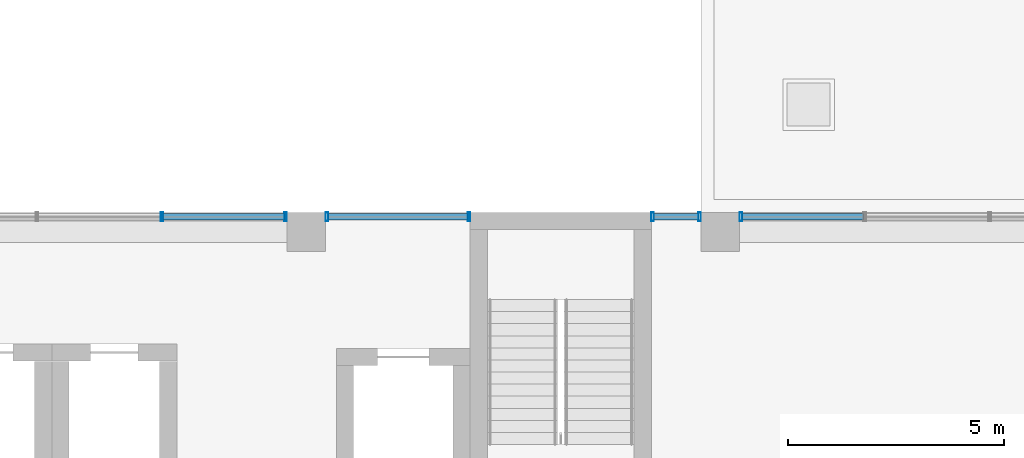
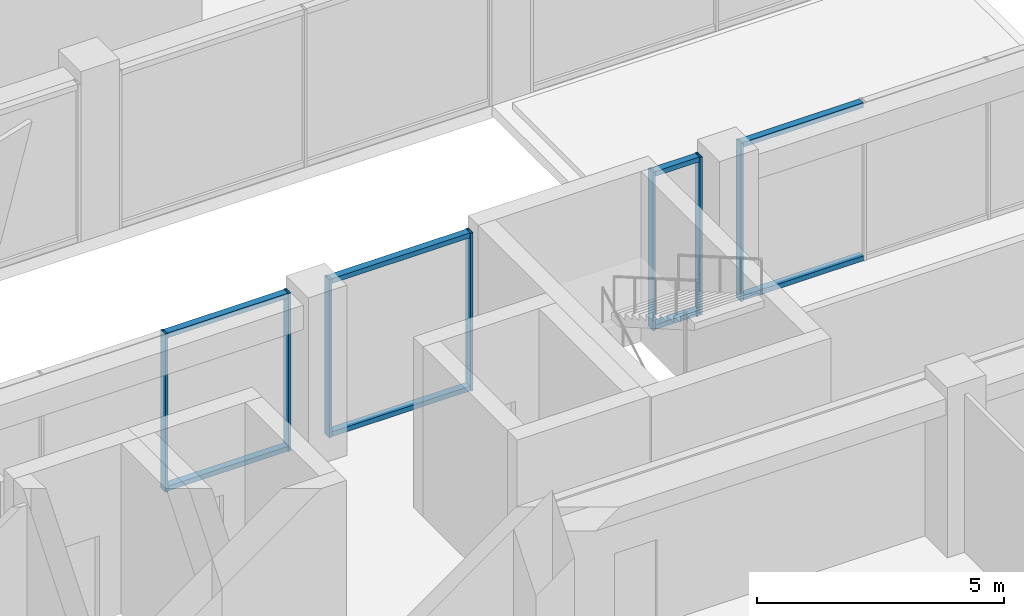
# One storey, part 9 of 38: 15 members, 4 elements without a shape of their own.
"""IFC4 building model written with IfcOpenShell, lengths in metres."""

from ifc_helpers import new_model, si_unit, direction, frame, origin, origin_2d, place, context, subcontext, project, spatial, hollow_rectangle, extrude, material, layer, layer_set, material_profile, profile_set, type_object, element, aggregate, save


model = new_model("IFC4")

# Units and contexts
model_context = context("Model", 3, precision=1e-05, world=origin(), true_north=direction((0.0, 1.0)))
body_context = subcontext(model_context, "Body", "Model", "MODEL_VIEW")
ifc_project = project(units=[si_unit("LENGTHUNIT", "METRE"), si_unit("AREAUNIT", "SQUARE_METRE"), si_unit("VOLUMEUNIT", "CUBIC_METRE"), si_unit("PLANEANGLEUNIT", "RADIAN"), si_unit("MASSUNIT", "GRAM", prefix="KILO")], contexts=[model_context])

# Site, building, storey
site_placement = place(None, origin())
site = spatial("IfcSite", under=ifc_project, at=site_placement, CompositionType="ELEMENT")
building_placement = place(site_placement, origin())
building = spatial("IfcBuilding", under=site, at=building_placement, Name="Nzadi Deep Aquarium and Research Tower", CompositionType="ELEMENT")
storey_placement = place(building_placement, frame((0.0, 0.0, 52.89990234375)))
storey = spatial("IfcBuildingStorey", under=building, at=storey_placement, Name="L10", CompositionType="ELEMENT", Elevation=52.89990234375)

# Curtain wall, members
ifc_material_1 = material(Name="Aluminium unitised frame", Category="aluminium")
ifc_layer = layer(ifc_material_1, 0.199951171875)
ifc_layer_set = layer_set([ifc_layer], Name="Aluminium unitised frame")
curtain_wall_type = type_object("IfcCurtainWallType", Name="Curtain wall Unitised 200", PredefinedType="NOTDEFINED", material=ifc_layer_set)
curtain_wall_1_placement = place(storey_placement, origin())
curtain_wall_1 = element("IfcCurtainWall", 1, at=curtain_wall_1_placement, inside=storey, type_object=curtain_wall_type, Name="Unitised curtain wall blade A north L10", PredefinedType="NOTDEFINED")
ifc_material_2 = material(Name="Aluminium unitised frame", Category="aluminium")
ifc_material_profile_1 = material_profile(ifc_material_2, hollow_rectangle(XDim=0.199951171875, YDim=0.06005859375, WallThickness=0.0048828125, at=origin_2d()))
ifc_profile_set_1 = profile_set([ifc_material_profile_1], Name="Aluminium unitised frame")
member_type_1 = type_object("IfcMemberType", Name="Mullion 60x200 Unitised", PredefinedType="MULLION", material=ifc_profile_set_1)
member_1_placement = place(storey_placement, frame((15.85009765625, 18.75, 0.0), z_axis=(0.0, 0.0, 1.0), x_axis=(0.0, 1.0, 0.0)))
member_1 = element("IfcMember", 2, at=member_1_placement, type_object=member_type_1, Name="CW038 mullion 3", PredefinedType="MULLION", context=body_context, shape_type="SweptSolid", body=[
    extrude(hollow_rectangle(XDim=0.199951171875, YDim=0.06005859375, WallThickness=0.0048828125, at=origin_2d()), origin(), (0.0, 0.0, 1.0), 3.900146484375),
])
member_2_placement = place(storey_placement, frame((18.719970703125, 18.75, 0.0), z_axis=(0.0, 0.0, 1.0), x_axis=(0.0, 1.0, 0.0)))
member_2 = element("IfcMember", 3, at=member_2_placement, type_object=member_type_1, Name="CW038 mullion 4", PredefinedType="MULLION", context=body_context, shape_type="SweptSolid", body=[
    extrude(hollow_rectangle(XDim=0.199951171875, YDim=0.06005859375, WallThickness=0.0048828125, at=origin_2d()), origin(), (0.0, 0.0, 1.0), 3.900146484375),
])

curtain_wall_2_placement = place(storey_placement, origin())
curtain_wall_2 = element("IfcCurtainWall", 4, at=curtain_wall_2_placement, inside=storey, type_object=curtain_wall_type, Name="Unitised curtain wall blade A north L10", PredefinedType="NOTDEFINED")
member_3_placement = place(storey_placement, frame((19.679931640625, 18.75, 0.0), z_axis=(0.0, 0.0, 1.0), x_axis=(0.0, 1.0, 0.0)))
member_3 = element("IfcMember", 5, at=member_3_placement, type_object=member_type_1, Name="CW039 mullion 1", PredefinedType="MULLION", context=body_context, shape_type="SweptSolid", body=[
    extrude(hollow_rectangle(XDim=0.199951171875, YDim=0.06005859375, WallThickness=0.0048828125, at=origin_2d()), origin(), (0.0, 0.0, 1.0), 3.900146484375),
])
member_4_placement = place(storey_placement, frame((22.969970703125, 18.75, 0.0), z_axis=(0.0, 0.0, 1.0), x_axis=(0.0, 1.0, 0.0)))
member_4 = element("IfcMember", 6, at=member_4_placement, type_object=member_type_1, Name="CW039 mullion 2", PredefinedType="MULLION", context=body_context, shape_type="SweptSolid", body=[
    extrude(hollow_rectangle(XDim=0.199951171875, YDim=0.06005859375, WallThickness=0.0048828125, at=origin_2d()), origin(), (0.0, 0.0, 1.0), 3.900146484375),
])

curtain_wall_3_placement = place(storey_placement, origin())
curtain_wall_3 = element("IfcCurtainWall", 7, at=curtain_wall_3_placement, inside=storey, type_object=curtain_wall_type, Name="Unitised curtain wall blade A north L10", PredefinedType="NOTDEFINED")
member_5_placement = place(storey_placement, frame((27.22998046875, 18.75, 0.0), z_axis=(0.0, 0.0, 1.0), x_axis=(0.0, 1.0, 0.0)))
member_5 = element("IfcMember", 8, at=member_5_placement, type_object=member_type_1, Name="CW040 mullion 1", PredefinedType="MULLION", context=body_context, shape_type="SweptSolid", body=[
    extrude(hollow_rectangle(XDim=0.199951171875, YDim=0.06005859375, WallThickness=0.0048828125, at=origin_2d()), origin(), (0.0, 0.0, 1.0), 3.900146484375),
])
member_6_placement = place(storey_placement, frame((28.320068359375, 18.75, 0.0), z_axis=(0.0, 0.0, 1.0), x_axis=(0.0, 1.0, 0.0)))
member_6 = element("IfcMember", 9, at=member_6_placement, type_object=member_type_1, Name="CW040 mullion 2", PredefinedType="MULLION", context=body_context, shape_type="SweptSolid", body=[
    extrude(hollow_rectangle(XDim=0.199951171875, YDim=0.06005859375, WallThickness=0.0048828125, at=origin_2d()), origin(), (0.0, 0.0, 1.0), 3.900146484375),
])

# Curtain wall, member
curtain_wall_4_placement = place(storey_placement, origin())
curtain_wall_4 = element("IfcCurtainWall", 10, at=curtain_wall_4_placement, inside=storey, type_object=curtain_wall_type, Name="Unitised curtain wall blade A north L10", PredefinedType="NOTDEFINED")
member_7_placement = place(storey_placement, frame((29.280029296875, 18.75, 0.0), z_axis=(0.0, 0.0, 1.0), x_axis=(0.0, 1.0, 0.0)))
member_7 = element("IfcMember", 11, at=member_7_placement, type_object=member_type_1, Name="CW041 mullion 1", PredefinedType="MULLION", context=body_context, shape_type="SweptSolid", body=[
    extrude(hollow_rectangle(XDim=0.199951171875, YDim=0.06005859375, WallThickness=0.0048828125, at=origin_2d()), origin(), (0.0, 0.0, 1.0), 3.900146484375),
])

# Member
ifc_material_3 = material(Name="Aluminium unitised frame", Category="aluminium")
ifc_material_profile_2 = material_profile(ifc_material_3, hollow_rectangle(XDim=0.159912109375, YDim=0.1201171875, WallThickness=0.0048828125, at=origin_2d()))
ifc_profile_set_2 = profile_set([ifc_material_profile_2], Name="Aluminium unitised frame")
member_type_2 = type_object("IfcMemberType", Name="Transom 120x160 Unitised", PredefinedType="MULLION", material=ifc_profile_set_2)
member_8_placement = place(storey_placement, frame((15.8798828125, 18.75, 0.06005859375), z_axis=(1.0, 0.0, 0.0), x_axis=(0.0, 1.0, 0.0)))
member_8 = element("IfcMember", 12, at=member_8_placement, type_object=member_type_2, Name="CW038 transom 3.1", PredefinedType="MULLION", context=body_context, shape_type="SweptSolid", body=[
    extrude(hollow_rectangle(XDim=0.159912109375, YDim=0.1201171875, WallThickness=0.0048828125, at=origin_2d()), origin(), (0.0, 0.0, 1.0), 2.81005859375),
])

member_9_placement = place(storey_placement, frame((15.8798828125, 18.75, 3.840087890625), z_axis=(1.0, 0.0, 0.0), x_axis=(0.0, 1.0, 0.0)))
member_9 = element("IfcMember", 13, at=member_9_placement, type_object=member_type_2, Name="CW038 transom 3.2", PredefinedType="MULLION", context=body_context, shape_type="SweptSolid", body=[
    extrude(hollow_rectangle(XDim=0.159912109375, YDim=0.1201171875, WallThickness=0.0048828125, at=origin_2d()), origin(), (0.0, 0.0, 1.0), 2.81005859375),
])

aggregate(curtain_wall_1, [member_1, member_2, member_8, member_9])

member_10_placement = place(storey_placement, frame((19.7099609375, 18.75, 0.06005859375), z_axis=(1.0, 0.0, 0.0), x_axis=(0.0, 1.0, 0.0)))
member_10 = element("IfcMember", 14, at=member_10_placement, type_object=member_type_2, Name="CW039 transom 1.1", PredefinedType="MULLION", context=body_context, shape_type="SweptSolid", body=[
    extrude(hollow_rectangle(XDim=0.159912109375, YDim=0.1201171875, WallThickness=0.0048828125, at=origin_2d()), origin(), (0.0, 0.0, 1.0), 3.22998046875),
])

member_11_placement = place(storey_placement, frame((19.7099609375, 18.75, 3.840087890625), z_axis=(1.0, 0.0, 0.0), x_axis=(0.0, 1.0, 0.0)))
member_11 = element("IfcMember", 15, at=member_11_placement, type_object=member_type_2, Name="CW039 transom 1.2", PredefinedType="MULLION", context=body_context, shape_type="SweptSolid", body=[
    extrude(hollow_rectangle(XDim=0.159912109375, YDim=0.1201171875, WallThickness=0.0048828125, at=origin_2d()), origin(), (0.0, 0.0, 1.0), 3.22998046875),
])

aggregate(curtain_wall_2, [member_3, member_4, member_10, member_11])

member_12_placement = place(storey_placement, frame((27.260009765625, 18.75, 0.06005859375), z_axis=(1.0, 0.0, 0.0), x_axis=(0.0, 1.0, 0.0)))
member_12 = element("IfcMember", 16, at=member_12_placement, type_object=member_type_2, Name="CW040 transom 1.1", PredefinedType="MULLION", context=body_context, shape_type="SweptSolid", body=[
    extrude(hollow_rectangle(XDim=0.159912109375, YDim=0.1201171875, WallThickness=0.0048828125, at=origin_2d()), origin(), (0.0, 0.0, 1.0), 1.030029296875),
])

member_13_placement = place(storey_placement, frame((27.260009765625, 18.75, 3.840087890625), z_axis=(1.0, 0.0, 0.0), x_axis=(0.0, 1.0, 0.0)))
member_13 = element("IfcMember", 17, at=member_13_placement, type_object=member_type_2, Name="CW040 transom 1.2", PredefinedType="MULLION", context=body_context, shape_type="SweptSolid", body=[
    extrude(hollow_rectangle(XDim=0.159912109375, YDim=0.1201171875, WallThickness=0.0048828125, at=origin_2d()), origin(), (0.0, 0.0, 1.0), 1.030029296875),
])

aggregate(curtain_wall_3, [member_5, member_6, member_12, member_13])

member_14_placement = place(storey_placement, frame((29.31005859375, 18.75, 0.06005859375), z_axis=(1.0, 0.0, 0.0), x_axis=(0.0, 1.0, 0.0)))
member_14 = element("IfcMember", 18, at=member_14_placement, type_object=member_type_2, Name="CW041 transom 1.1", PredefinedType="MULLION", context=body_context, shape_type="SweptSolid", body=[
    extrude(hollow_rectangle(XDim=0.159912109375, YDim=0.1201171875, WallThickness=0.0048828125, at=origin_2d()), origin(), (0.0, 0.0, 1.0), 2.81005859375),
])

member_15_placement = place(storey_placement, frame((29.31005859375, 18.75, 3.840087890625), z_axis=(1.0, 0.0, 0.0), x_axis=(0.0, 1.0, 0.0)))
member_15 = element("IfcMember", 19, at=member_15_placement, type_object=member_type_2, Name="CW041 transom 1.2", PredefinedType="MULLION", context=body_context, shape_type="SweptSolid", body=[
    extrude(hollow_rectangle(XDim=0.159912109375, YDim=0.1201171875, WallThickness=0.0048828125, at=origin_2d()), origin(), (0.0, 0.0, 1.0), 2.81005859375),
])

aggregate(curtain_wall_4, [member_7, member_14, member_15])

save(model, "model.ifc")
